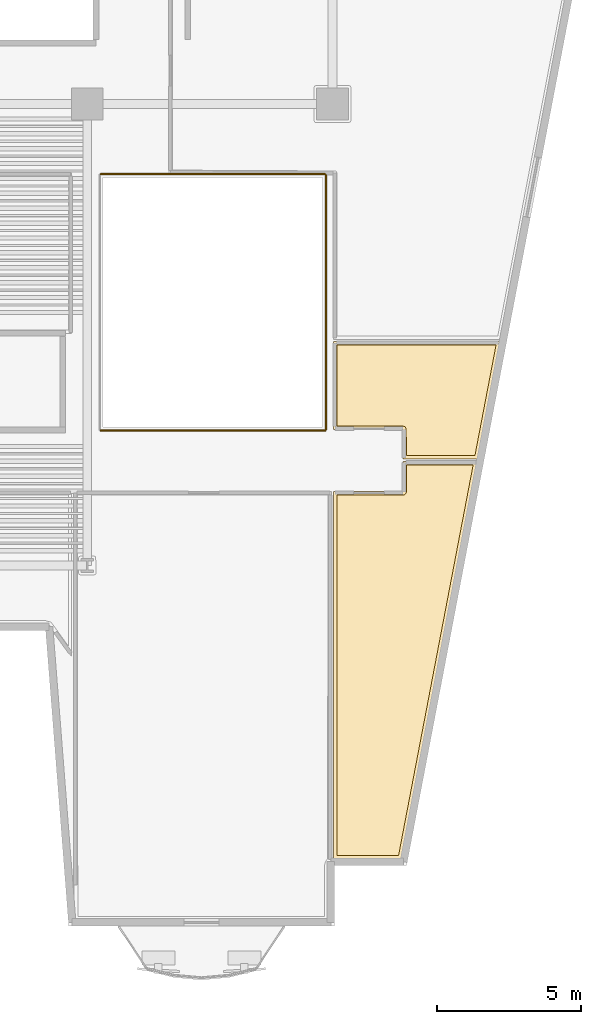
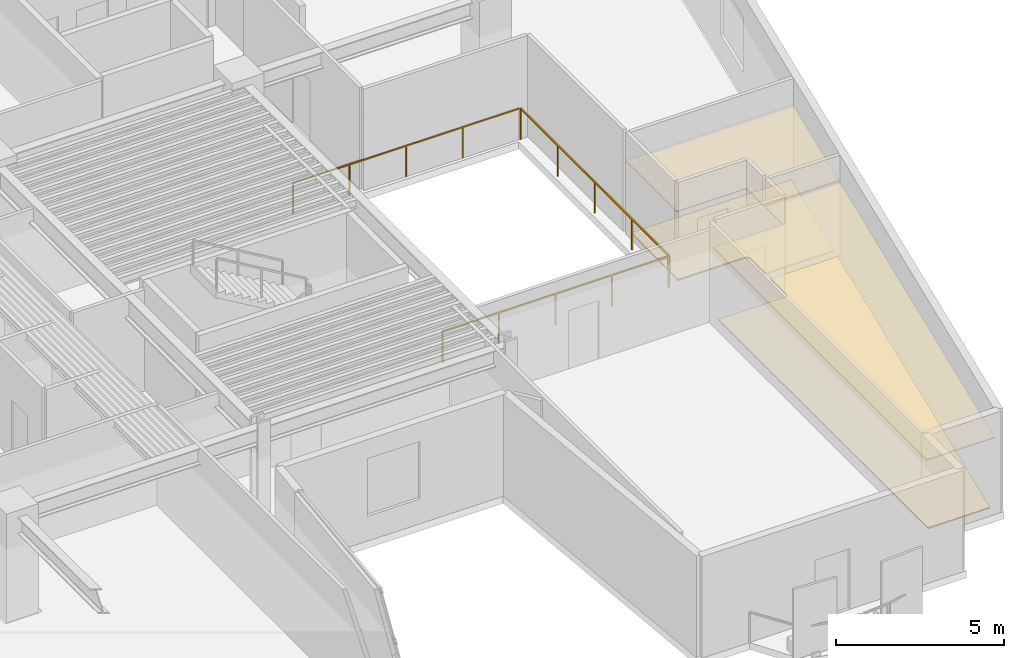
# One storey, part 11 of 13: 4 coverings, 3 railings.
"""IFC4 building model written with IfcOpenShell, lengths in metres."""

import ifcopenshell
import ifcopenshell.guid

model = None  # the IFC model being written
_history = None  # IfcOwnerHistory: only IFC2X3 demands one
_inside = {}  # id of a spatial element -> (the spatial element, [elements in it])
_under = {}  # id of a project, library or spatial element -> (it, [spatial elements below it])
_declared = {}  # id of a project -> (the project, [libraries it declares])
_typed = {}  # id of a type object -> (the type object, [elements of that type])
_made_of = {}  # id of a material, layer set ... -> (it, [elements and type objects made of it])


def new_model(schema):
    """Start an empty IFC model of exactly this schema.

    Asked for "IFC4X3", IfcOpenShell would pick the latest addendum, in which some entities
    have other attributes; the version numbers below select the first issue.
    IFC2X3 requires an IfcOwnerHistory on every rooted entity: one is made here for all.
    """
    global model, _history
    if schema == "IFC4X3":
        model = ifcopenshell.file(schema_version=(4, 3, 0, 0))
    else:
        model = ifcopenshell.file(schema=schema)
    _inside.clear()
    _under.clear()
    _declared.clear()
    _typed.clear()
    _made_of.clear()
    _history = None
    if model.schema == "IFC2X3":
        org = make("IfcOrganization", Name="unknown")
        user = make(
            "IfcPersonAndOrganization",
            ThePerson=make("IfcPerson", FamilyName="unknown"),
            TheOrganization=org,
        )
        app = make(
            "IfcApplication",
            ApplicationDeveloper=org,
            Version="unknown",
            ApplicationFullName="unknown",
            ApplicationIdentifier="unknown",
        )
        _history = make(
            "IfcOwnerHistory",
            OwningUser=user,
            OwningApplication=app,
            ChangeAction="ADDED",
            CreationDate=0,
        )
    return model


def make(cls, **values):
    """One entity of the class cls with the attributes given. An attribute that is None is left unset."""
    return model.create_entity(
        cls, **{name: value for name, value in values.items() if value is not None}
    )


def rooted(cls, **values):
    """An entity with a GlobalId (a new one), such as an element, a storey or a relation."""
    return make(cls, GlobalId=ifcopenshell.guid.new(), OwnerHistory=_history, **values)


def si_unit(unit_type, name, prefix=None):
    """IfcSIUnit, for example si_unit("LENGTHUNIT", "METRE", prefix="MILLI")."""
    return make("IfcSIUnit", UnitType=unit_type, Prefix=prefix, Name=name)


def assignment(units):
    """IfcUnitAssignment: the units of a project."""
    return None if units is None else make("IfcUnitAssignment", Units=units)


def point(xyz):
    """IfcCartesianPoint."""
    return None if xyz is None else make("IfcCartesianPoint", Coordinates=xyz)


def direction(xyz):
    """IfcDirection."""
    return None if xyz is None else make("IfcDirection", DirectionRatios=xyz)


def frame(location, z_axis=None, x_axis=None):
    """IfcAxis2Placement3D, a coordinate frame: its origin and axes. An axis left out is left unset."""
    return make(
        "IfcAxis2Placement3D",
        Location=point(location),
        Axis=direction(z_axis),
        RefDirection=direction(x_axis),
    )


def frame_2d(location, x_axis=None):
    """IfcAxis2Placement2D, a coordinate frame in the plane: its origin and x axis."""
    return make(
        "IfcAxis2Placement2D", Location=point(location), RefDirection=direction(x_axis)
    )


def origin():
    """The frame at (0, 0, 0) with its axes left unset."""
    return frame((0.0, 0.0, 0.0))


def origin_2d():
    """The frame at (0, 0) in the plane with its x axis left unset."""
    return frame_2d((0.0, 0.0))


def place(relative_to, where):
    """IfcLocalPlacement: puts the frame where relative to a parent placement (None: the world)."""
    return make(
        "IfcLocalPlacement", PlacementRelTo=relative_to, RelativePlacement=where
    )


def context(
    kind, dimensions, precision=None, world=None, true_north=None, identifier=None
):
    """IfcGeometricRepresentationContext, for example the 3D "Model" context."""
    return make(
        "IfcGeometricRepresentationContext",
        ContextIdentifier=identifier,
        ContextType=kind,
        CoordinateSpaceDimension=dimensions,
        Precision=precision,
        WorldCoordinateSystem=world,
        TrueNorth=true_north,
    )


def subcontext(parent, identifier, kind, view, scale=None):
    """IfcGeometricRepresentationSubContext, for example "Body" below "Model"."""
    return make(
        "IfcGeometricRepresentationSubContext",
        ContextIdentifier=identifier,
        ContextType=kind,
        ParentContext=parent,
        TargetScale=scale,
        TargetView=view,
    )


def project(units=None, contexts=None):
    """IfcProject with its units and contexts."""
    return rooted(
        "IfcProject",
        Name="project",
        RepresentationContexts=contexts,
        UnitsInContext=assignment(units),
    )


def spatial(cls, under=None, at=None, **own):
    """A site, building, storey or space (cls), placed at a placement, below another one or the project."""
    s = rooted(cls, ObjectPlacement=at, **own)
    if under is not None:
        _under.setdefault(under.id(), (under, []))[1].append(s)
    return s


def polyline(points):
    """IfcPolyline through the points."""
    return make("IfcPolyline", Points=[point(p) for p in points])


def profile(cls, at=None, kind="AREA", **sizes):
    """A parametric profile (cls). Its sizes go by their IFC names, for example OverallWidth=200.0."""
    return make(cls, ProfileType=kind, Position=at, **sizes)


def rectangle(**sizes):
    """IfcRectangleProfileDef."""
    return profile("IfcRectangleProfileDef", **sizes)


def outline(outer, holes=None, kind="AREA"):
    """IfcArbitraryClosedProfileDef: a profile drawn as a closed curve; with holes, ...WithVoids."""
    if holes is None:
        return make("IfcArbitraryClosedProfileDef", ProfileType=kind, OuterCurve=outer)
    return make(
        "IfcArbitraryProfileDefWithVoids",
        ProfileType=kind,
        OuterCurve=outer,
        InnerCurves=holes,
    )


def extrude(swept, where, along, depth):
    """IfcExtrudedAreaSolid: the profile swept, set in the frame where, extruded along a direction by depth."""
    return make(
        "IfcExtrudedAreaSolid",
        SweptArea=swept,
        Position=where,
        ExtrudedDirection=direction(along),
        Depth=depth,
    )


def shape(context_of_items, identifier, shape_type, items):
    """IfcShapeRepresentation: the items that make up one representation, for example the "Body"."""
    return make(
        "IfcShapeRepresentation",
        ContextOfItems=context_of_items,
        RepresentationIdentifier=identifier,
        RepresentationType=shape_type,
        Items=items,
    )


def material(Name=None, Category=None):
    """IfcMaterial."""
    return make("IfcMaterial", Name=Name, Category=Category)


def layer(
    of_material, thickness, ventilated=None, Name=None, Category=None, Priority=None
):
    """IfcMaterialLayer: one layer of a wall or slab, of a material (None: an air gap)."""
    return make(
        "IfcMaterialLayer",
        Material=of_material,
        LayerThickness=thickness,
        IsVentilated=ventilated,
        Name=Name,
        Category=Category,
        Priority=Priority,
    )


def layer_set(layers, Name=None):
    """IfcMaterialLayerSet."""
    return make("IfcMaterialLayerSet", MaterialLayers=layers, LayerSetName=Name)


def made_of(thing, what):
    """Note that an element or type object is made of a material, layer set ...; save() writes the relation."""
    if what is not None:
        _made_of.setdefault(what.id(), (what, []))[1].append(thing)
    return thing


def type_object(cls, material=None, **own):
    """A type object (cls), such as IfcWallType, which elements share."""
    return made_of(rooted(cls, **own), material)


def element(
    cls,
    number,
    at=None,
    inside=None,
    cuts=None,
    type_object=None,
    material=None,
    context=None,
    identifier="Body",
    shape_type=None,
    held_by="IfcProductDefinitionShape",
    body=None,
    shapes=None,
    **own,
):
    """One element of the class cls, such as IfcWall. Its Tag is "e" and its number.

    at: its placement. inside: the storey or other place that contains it. cuts: it is an
    opening in that element (IfcRelVoidsElement). A single representation is given by context,
    identifier, shape_type and body (its items); several are given by shapes. held_by: the class
    of the entity that holds the representations. save() writes the other relations.
    """
    e = rooted(cls, Tag="e%d" % number, ObjectPlacement=at, **own)
    if body is not None:
        shapes = [shape(context, identifier, shape_type, body)]
    if shapes is not None:
        e.Representation = make(held_by, Representations=shapes)
    if inside is not None:
        _inside.setdefault(inside.id(), (inside, []))[1].append(e)
    if cuts is not None:
        rooted(
            "IfcRelVoidsElement", RelatingBuildingElement=cuts, RelatedOpeningElement=e
        )
    if type_object is not None:
        _typed.setdefault(type_object.id(), (type_object, []))[1].append(e)
    return made_of(e, material)


def aggregate(whole, parts):
    """IfcRelAggregates: a whole, such as a stair, and the parts it consists of."""
    return rooted("IfcRelAggregates", RelatingObject=whole, RelatedObjects=parts)


def save(model, path):
    """Write the relations noted so far, then the file.

    IfcRelAggregates (storeys below a building ...), IfcRelContainedInSpatialStructure (elements
    in a storey), IfcRelDefinesByType, IfcRelAssociatesMaterial and IfcRelDeclares: one each for
    every whole, place, type object, material and project.
    """
    for whole, parts in _under.values():
        aggregate(whole, parts)
    for where, things in _inside.values():
        rooted(
            "IfcRelContainedInSpatialStructure",
            RelatedElements=things,
            RelatingStructure=where,
        )
    for kind, things in _typed.values():
        rooted("IfcRelDefinesByType", RelatedObjects=things, RelatingType=kind)
    for what, things in _made_of.values():
        rooted("IfcRelAssociatesMaterial", RelatedObjects=things, RelatingMaterial=what)
    for by, libraries in _declared.values():
        rooted("IfcRelDeclares", RelatingContext=by, RelatedDefinitions=libraries)
    model.write(path)


model = new_model("IFC4")

# Units and contexts
model_context = context("Model", 3, precision=1e-05, world=origin(), true_north=direction((0.0, 1.0)))
body_context = subcontext(model_context, "Body", "Model", "MODEL_VIEW")
ifc_project = project(units=[si_unit("LENGTHUNIT", "METRE"), si_unit("AREAUNIT", "SQUARE_METRE"), si_unit("VOLUMEUNIT", "CUBIC_METRE"), si_unit("PLANEANGLEUNIT", "RADIAN"), si_unit("MASSUNIT", "GRAM", prefix="KILO")], contexts=[model_context])

# Site, building, storey
site_placement = place(None, origin())
site = spatial("IfcSite", under=ifc_project, at=site_placement, CompositionType="ELEMENT")
building_placement = place(site_placement, origin())
building = spatial("IfcBuilding", under=site, at=building_placement, Name="Caeloran Harvest Quay", CompositionType="ELEMENT")
storey_placement = place(building_placement, frame((0.0, 0.0, 131.14990234375)))
storey = spatial("IfcBuildingStorey", under=building, at=storey_placement, Name="L30", CompositionType="ELEMENT", Elevation=131.14990234375)

# Coverings
ifc_material_1 = material(Name="Perforated Mineral-Fibre Acoustic Ceiling Tile", Category="ceiling")
ifc_layer_1 = layer(ifc_material_1, 0.0400390625, Name="Perforated Mineral-Fibre Acoustic Ceiling Tile")
ifc_layer_set_1 = layer_set([ifc_layer_1], Name="Perforated Mineral-Fibre Acoustic Ceiling Tile")
covering_type_1 = type_object("IfcCoveringType", Name="COV-CEILING-ACOUSTIC", PredefinedType="CEILING", material=ifc_layer_set_1)
covering_1_placement = place(storey_placement, frame((0.0, 0.0, 2.60009765625)))
element("IfcCovering", 1, at=covering_1_placement, inside=storey, type_object=covering_type_1, Name="Bio-Security Compliance Office Acoustic Ceiling", PredefinedType="CEILING", context=body_context, shape_type="SweptSolid", body=[
    extrude(outline(polyline([(44.93994140625, 17.56005859375), (44.93994140625, 18.610107421875), (47.522705078125, 18.610107421875), (44.888916015625, 4.820068359375), (42.5400390625, 4.820068359375), (42.5400390625, 17.56005859375), (44.93994140625, 17.56005859375)])), origin(), (0.0, 0.0, 1.0), 0.0400390625),
])
covering_2_placement = place(storey_placement, frame((0.0, 0.0, 2.60009765625)))
element("IfcCovering", 2, at=covering_2_placement, inside=storey, type_object=covering_type_1, Name="Research Library Study Room Acoustic Ceiling", PredefinedType="CEILING", context=body_context, shape_type="SweptSolid", body=[
    extrude(outline(polyline([(44.93994140625, 19.7099609375), (42.5400390625, 19.7099609375), (42.5400390625, 22.760009765625), (48.315185546875, 22.760009765625), (47.537841796875, 18.68994140625), (44.93994140625, 18.68994140625), (44.93994140625, 19.7099609375)])), origin(), (0.0, 0.0, 1.0), 0.0400390625),
])
ifc_material_2 = material(Name="Calcium-Sulphate Raised Access Floor and Terrazzo Finish", Category="flooring")
ifc_layer_2 = layer(ifc_material_2, 0.050048828125, Name="Calcium-Sulphate Raised Access Floor and Terrazzo Finish")
ifc_layer_set_2 = layer_set([ifc_layer_2], Name="Calcium-Sulphate Raised Access Floor and Terrazzo Finish")
covering_type_2 = type_object("IfcCoveringType", Name="COV-FLOOR-RAISED", PredefinedType="FLOORING", material=ifc_layer_set_2)
covering_3_placement = place(storey_placement, origin())
element("IfcCovering", 3, at=covering_3_placement, inside=storey, type_object=covering_type_2, Name="Bio-Security Compliance Office Raised Finish Flooring", PredefinedType="FLOORING", context=body_context, shape_type="SweptSolid", body=[
    extrude(outline(polyline([(44.97802734375, 17.443603515625), (45.037353515625, 17.4833984375), (45.059814453125, 17.543212890625), (45.06005859375, 18.489990234375), (47.37744140625, 18.489990234375), (44.789794921875, 4.93994140625), (42.659912109375, 4.93994140625), (42.659912109375, 17.43994140625), (44.97802734375, 17.443603515625)])), origin(), (0.0, 0.0, 1.0), 0.050048828125),
])
covering_4_placement = place(storey_placement, origin())
element("IfcCovering", 4, at=covering_4_placement, inside=storey, type_object=covering_type_2, Name="Research Library Study Room Raised Finish Flooring", PredefinedType="FLOORING", context=body_context, shape_type="SweptSolid", body=[
    extrude(outline(polyline([(45.056396484375, 19.748046875), (45.0166015625, 19.807373046875), (44.953857421875, 19.829833984375), (42.659912109375, 19.830078125), (42.659912109375, 22.639892578125), (48.170166015625, 22.639892578125), (47.438720703125, 18.81005859375), (45.06005859375, 18.81005859375), (45.056396484375, 19.748046875)])), origin(), (0.0, 0.0, 1.0), 0.050048828125),
])

# Railings
ifc_material_3 = material(Name="Powder-Coated Steel Post and Laminated Glass Guardrail", Category="steel")
ifc_layer_3 = layer(ifc_material_3, 0.06005859375, Name="Powder-Coated Steel Post and Laminated Glass Guardrail")
ifc_layer_set_3 = layer_set([ifc_layer_3], Name="Powder-Coated Steel Post and Laminated Glass Guardrail")
railing_type = type_object("IfcRailingType", Name="GUARD-ATRIUM-1150", PredefinedType="GUARDRAIL", material=ifc_layer_set_3)
railing_1_placement = place(storey_placement, frame((34.4619140625, 19.679931640625, 0.0)))
element("IfcRailing", 5, at=railing_1_placement, inside=storey, type_object=railing_type, Name="L30 East Botanical Lightwell Guardrail Seg 1", PredefinedType="GUARDRAIL", context=body_context, shape_type="SweptSolid", body=[
    extrude(rectangle(XDim=0.048095703125, YDim=0.048095703125, at=origin_2d()), frame((0.0, 0.0, 1.1259765625), z_axis=(1.0, 0.0, 0.0), x_axis=(0.0, 1.0, 0.0)), (0.0, 0.0, 1.0), 7.776123046875),
    extrude(rectangle(XDim=0.0419921875, YDim=0.0419921875, at=origin_2d()), origin(), (0.0, 0.0, 1.0), 1.101806640625),
    extrude(rectangle(XDim=0.0419921875, YDim=0.0419921875, at=origin_2d()), frame((1.944091796875, 0.0, 0.0)), (0.0, 0.0, 1.0), 1.101806640625),
    extrude(rectangle(XDim=0.0419921875, YDim=0.0419921875, at=origin_2d()), frame((3.88818359375, 0.0, 0.0)), (0.0, 0.0, 1.0), 1.101806640625),
    extrude(rectangle(XDim=0.0419921875, YDim=0.0419921875, at=origin_2d()), frame((5.83203125, 0.0, 0.0)), (0.0, 0.0, 1.0), 1.101806640625),
    extrude(rectangle(XDim=0.0419921875, YDim=0.0419921875, at=origin_2d()), frame((7.776123046875, 0.0, 0.0)), (0.0, 0.0, 1.0), 1.101806640625),
])
railing_2_placement = place(storey_placement, frame((42.27001953125, 19.7119140625, 0.0)))
element("IfcRailing", 6, at=railing_2_placement, inside=storey, type_object=railing_type, Name="L30 East Botanical Lightwell Guardrail Seg 2", PredefinedType="GUARDRAIL", context=body_context, shape_type="SweptSolid", body=[
    extrude(rectangle(XDim=0.048095703125, YDim=0.048095703125, at=origin_2d()), frame((0.0, 0.0, 1.1259765625), z_axis=(0.0, 1.0, 0.0), x_axis=(-1.0, 0.0, 0.0)), (0.0, 0.0, 1.0), 8.826171875),
    extrude(rectangle(XDim=0.0419921875, YDim=0.0419921875, at=origin_2d()), origin(), (0.0, 0.0, 1.0), 1.101806640625),
    extrude(rectangle(XDim=0.0419921875, YDim=0.0419921875, at=origin_2d()), frame((0.0, 2.20654296875, 0.0)), (0.0, 0.0, 1.0), 1.101806640625),
    extrude(rectangle(XDim=0.0419921875, YDim=0.0419921875, at=origin_2d()), frame((0.0, 4.4130859375, 0.0)), (0.0, 0.0, 1.0), 1.101806640625),
    extrude(rectangle(XDim=0.0419921875, YDim=0.0419921875, at=origin_2d()), frame((0.0, 6.61962890625, 0.0)), (0.0, 0.0, 1.0), 1.101806640625),
    extrude(rectangle(XDim=0.0419921875, YDim=0.0419921875, at=origin_2d()), frame((0.0, 8.826171875, 0.0)), (0.0, 0.0, 1.0), 1.101806640625),
])
railing_3_placement = place(storey_placement, frame((42.238037109375, 28.570068359375, 0.0)))
element("IfcRailing", 7, at=railing_3_placement, inside=storey, type_object=railing_type, Name="L30 East Botanical Lightwell Guardrail Seg 3", PredefinedType="GUARDRAIL", context=body_context, shape_type="SweptSolid", body=[
    extrude(rectangle(XDim=0.048095703125, YDim=0.048095703125, at=origin_2d()), frame((0.0, 0.0, 1.1259765625), z_axis=(-1.0, 0.0, 0.0), x_axis=(0.0, -1.0, 0.0)), (0.0, 0.0, 1.0), 7.776123046875),
    extrude(rectangle(XDim=0.0419921875, YDim=0.0419921875, at=origin_2d()), origin(), (0.0, 0.0, 1.0), 1.101806640625),
    extrude(rectangle(XDim=0.0419921875, YDim=0.0419921875, at=origin_2d()), frame((-1.944091796875, 0.0, 0.0)), (0.0, 0.0, 1.0), 1.101806640625),
    extrude(rectangle(XDim=0.0419921875, YDim=0.0419921875, at=origin_2d()), frame((-3.88818359375, 0.0, 0.0)), (0.0, 0.0, 1.0), 1.101806640625),
    extrude(rectangle(XDim=0.0419921875, YDim=0.0419921875, at=origin_2d()), frame((-5.83203125, 0.0, 0.0)), (0.0, 0.0, 1.0), 1.101806640625),
    extrude(rectangle(XDim=0.0419921875, YDim=0.0419921875, at=origin_2d()), frame((-7.776123046875, 0.0, 0.0)), (0.0, 0.0, 1.0), 1.101806640625),
])

save(model, "model.ifc")
